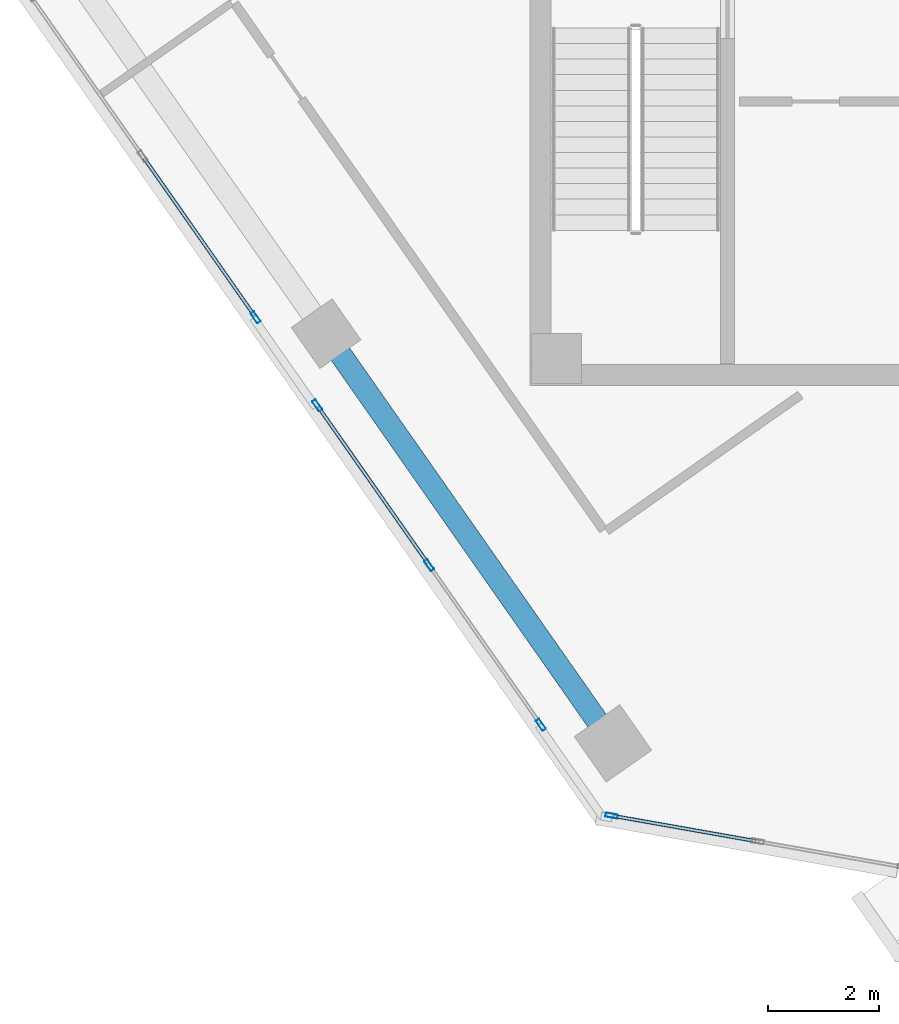
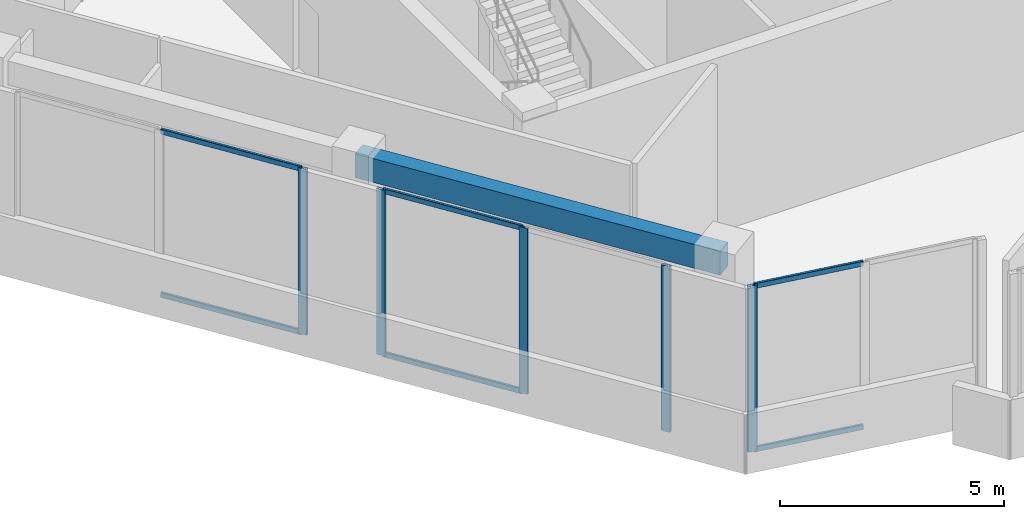
# One storey, part 2 of 16: 11 members, 1 beam, 3 elements without a shape of their own.
"""IFC4 building model written with IfcOpenShell, lengths in metres."""

from ifc_helpers import new_model, si_unit, direction, frame, origin, origin_2d, place, context, subcontext, project, spatial, rectangle, hollow_rectangle, extrude, source, transform, mapped, material, material_profile, profile_set, type_object, element, aggregate, save


model = new_model("IFC4")

# Units and contexts
model_context = context("Model", 3, precision=1e-05, world=origin(), true_north=direction((0.0, 1.0)))
body_context = subcontext(model_context, "Body", "Model", "MODEL_VIEW")
ifc_project = project(units=[si_unit("LENGTHUNIT", "METRE"), si_unit("AREAUNIT", "SQUARE_METRE"), si_unit("VOLUMEUNIT", "CUBIC_METRE"), si_unit("PLANEANGLEUNIT", "RADIAN"), si_unit("MASSUNIT", "GRAM", prefix="KILO")], contexts=[model_context])

# Site, building, storey
site_placement = place(None, origin())
site = spatial("IfcSite", under=ifc_project, at=site_placement, CompositionType="ELEMENT")
building_placement = place(site_placement, origin())
building = spatial("IfcBuilding", under=site, at=building_placement, Name="Torre Montelarca", CompositionType="ELEMENT")
storey_placement = place(building_placement, frame((0.0, 0.0, 293.800048828125)))
storey = spatial("IfcBuildingStorey", under=building, at=storey_placement, Name="L66", CompositionType="ELEMENT", Elevation=293.800048828125)

# Beam
ifc_material_1 = material(Name="Concrete C40/50", Category="concrete")
ifc_material_profile_1 = material_profile(ifc_material_1, rectangle(XDim=0.39990234375, YDim=0.64990234375, at=origin_2d()), Name="RCB400X650", Category="concrete")
ifc_profile_set_1 = profile_set([ifc_material_profile_1], Name="Concrete C40/50")
beam_type = type_object("IfcBeamType", Name="BM-SP-RC650-EXT", PredefinedType="SPANDREL", material=ifc_profile_set_1)
shared_shape_1 = source(origin(), body_context, "Body", "SweptSolid", [
    extrude(rectangle(XDim=0.39990234375, YDim=0.64990234375, at=origin_2d()), origin(), (0.0, 0.0, 1.0), 9.0),
])
beam_placement = place(storey_placement, frame((5.403076171875, 25.00146484375, 4.43505859375), z_axis=(0.573573395961, -0.819154173185, 0.0), x_axis=(0.819154173185, 0.573573395961, 0.0)))
element("IfcBeam", 1, at=beam_placement, inside=storey, type_object=beam_type, Name="L66 Grid Girder X 18.0-27.0 at Y=14.8", PredefinedType="SPANDREL", context=body_context, shape_type="MappedRepresentation", body=[
    mapped(shared_shape_1, transform((0.0, 0.0, 0.0), scale=1.0)),
])

# Curtain wall, member
ifc_material_2 = material(Name="Insulated low-E laminated glass", Category="glass")
curtain_wall_type = type_object("IfcCurtainWallType", Name="CW-SYS-Z4", PredefinedType="USERDEFINED", material=ifc_material_2)
curtain_wall_1_placement = place(storey_placement, origin())
curtain_wall_1 = element("IfcCurtainWall", 2, at=curtain_wall_1_placement, inside=storey, type_object=curtain_wall_type, Name="L66 Curtain Wall Run CW-T3-L66-E01-B1", ObjectType="UNITISED GLAZING", PredefinedType="USERDEFINED")
ifc_material_3 = material(Name="Anodised aluminium AA 6063-T6", Category="aluminium")
ifc_material_profile_2 = material_profile(ifc_material_3, hollow_rectangle(XDim=0.074951171875, YDim=0.219970703125, WallThickness=0.0048828125, InnerFilletRadius=0.0048828125, OuterFilletRadius=0.010009765625, at=origin_2d()), Name="ALU75X220X5", Category="aluminium")
ifc_profile_set_2 = profile_set([ifc_material_profile_2], Name="Anodised aluminium AA 6063-T6")
member_type_1 = type_object("IfcMemberType", Name="CWM-ALU220", PredefinedType="MULLION", material=ifc_profile_set_2)
shared_shape_2 = source(origin(), body_context, "Body", "SweptSolid", [
    extrude(hollow_rectangle(XDim=0.074951171875, YDim=0.219970703125, WallThickness=0.0048828125, InnerFilletRadius=0.0048828125, OuterFilletRadius=0.010009765625, at=origin_2d()), origin(), (0.0, 0.0, 1.0), 4.52001953125),
])
member_1_placement = place(storey_placement, frame((4.135498046875, 25.294921875, 0.0), z_axis=(0.0, 0.0, 1.0), x_axis=(0.819156903891, 0.573569496058, 0.0)))
member_1 = element("IfcMember", 3, at=member_1_placement, type_object=member_type_1, Name="CW mullion 3", PredefinedType="MULLION", context=body_context, shape_type="MappedRepresentation", body=[
    mapped(shared_shape_2, transform((0.0, 0.0, 0.0), scale=1.0)),
])

# Curtain wall, members
curtain_wall_2_placement = place(storey_placement, origin())
curtain_wall_2 = element("IfcCurtainWall", 4, at=curtain_wall_2_placement, inside=storey, type_object=curtain_wall_type, Name="L66 Curtain Wall Run CW-T3-L66-E01-B2", ObjectType="UNITISED GLAZING", PredefinedType="USERDEFINED")
member_2_placement = place(storey_placement, frame((5.245361328125, 23.7099609375, 0.0), z_axis=(0.0, 0.0, 1.0), x_axis=(0.819156374316, 0.573570252382, 0.0)))
member_2 = element("IfcMember", 5, at=member_2_placement, type_object=member_type_1, Name="CW mullion 1", PredefinedType="MULLION", context=body_context, shape_type="MappedRepresentation", body=[
    mapped(shared_shape_2, transform((0.0, 0.0, 0.0), scale=1.0)),
])
member_3_placement = place(storey_placement, frame((7.257080078125, 20.8369140625, 0.0), z_axis=(0.0, 0.0, 1.0), x_axis=(0.819156374316, 0.573570252382, 0.0)))
member_3 = element("IfcMember", 6, at=member_3_placement, type_object=member_type_1, Name="CW mullion 2", PredefinedType="MULLION", context=body_context, shape_type="MappedRepresentation", body=[
    mapped(shared_shape_2, transform((0.0, 0.0, 0.0), scale=1.0)),
])
member_4_placement = place(storey_placement, frame((9.26904296875, 17.963623046875, 0.0), z_axis=(0.0, 0.0, 1.0), x_axis=(0.819156374316, 0.573570252382, 0.0)))
member_4 = element("IfcMember", 7, at=member_4_placement, type_object=member_type_1, Name="CW mullion 3", PredefinedType="MULLION", context=body_context, shape_type="MappedRepresentation", body=[
    mapped(shared_shape_2, transform((0.0, 0.0, 0.0), scale=1.0)),
])

# Curtain wall, member
curtain_wall_3_placement = place(storey_placement, origin())
curtain_wall_3 = element("IfcCurtainWall", 8, at=curtain_wall_3_placement, inside=storey, type_object=curtain_wall_type, Name="L66 Curtain Wall Run CW-T3-L66-E02-B1", ObjectType="UNITISED GLAZING", PredefinedType="USERDEFINED")
member_5_placement = place(storey_placement, frame((10.54248046875, 16.3291015625, 0.0), z_axis=(0.0, 0.0, 1.0), x_axis=(0.17364192333, 0.9848088558, 0.0)))
member_5 = element("IfcMember", 9, at=member_5_placement, type_object=member_type_1, Name="CW mullion 1", PredefinedType="MULLION", context=body_context, shape_type="MappedRepresentation", body=[
    mapped(shared_shape_2, transform((0.0, 0.0, 0.0), scale=1.0)),
])

# Member
ifc_material_profile_3 = material_profile(ifc_material_3, hollow_rectangle(XDim=0.06494140625, YDim=0.139892578125, WallThickness=0.00390625, InnerFilletRadius=0.00390625, OuterFilletRadius=0.008056640625, at=origin_2d()), Name="ALU65X140X4", Category="aluminium")
ifc_profile_set_3 = profile_set([ifc_material_profile_3], Name="Anodised aluminium AA 6063-T6")
member_type_2 = type_object("IfcMemberType", Name="CWT-ALU140", PredefinedType="USERDEFINED", material=ifc_profile_set_3)
shared_shape_3 = source(origin(), body_context, "Body", "SweptSolid", [
    extrude(hollow_rectangle(XDim=0.06494140625, YDim=0.139892578125, WallThickness=0.00390625, InnerFilletRadius=0.00390625, OuterFilletRadius=0.008056640625, at=origin_2d()), origin(), (0.0, 0.0, 1.0), 3.45751953125),
])
member_6_placement = place(storey_placement, frame((2.130859375, 28.157958984375, 0.032470703125), z_axis=(0.573571335788, -0.819155615718, 0.0), x_axis=(0.819155615718, 0.573571335788, 0.0)))
member_6 = element("IfcMember", 10, at=member_6_placement, type_object=member_type_2, Name="CW transom 2.1", ObjectType="TRANSOM", PredefinedType="USERDEFINED", context=body_context, shape_type="MappedRepresentation", body=[
    mapped(shared_shape_3, transform((0.0, 0.0, 0.0), scale=1.0)),
])

member_7_placement = place(storey_placement, frame((2.130859375, 28.157958984375, 4.487548828125), z_axis=(0.573571335788, -0.819155615718, 0.0), x_axis=(0.819155615718, 0.573571335788, 0.0)))
member_7 = element("IfcMember", 11, at=member_7_placement, type_object=member_type_2, Name="CW transom 2.2", ObjectType="TRANSOM", PredefinedType="USERDEFINED", context=body_context, shape_type="MappedRepresentation", body=[
    mapped(shared_shape_3, transform((0.0, 0.0, 0.0), scale=1.0)),
])

aggregate(curtain_wall_1, [member_1, member_6, member_7])

shared_shape_4 = source(origin(), body_context, "Body", "SweptSolid", [
    extrude(hollow_rectangle(XDim=0.06494140625, YDim=0.139892578125, WallThickness=0.00390625, InnerFilletRadius=0.00390625, OuterFilletRadius=0.008056640625, at=origin_2d()), origin(), (0.0, 0.0, 1.0), 3.432373046875),
])
member_8_placement = place(storey_placement, frame((5.266845703125, 23.67919921875, 0.032470703125), z_axis=(0.573562585209, -0.819161742789, 0.0), x_axis=(0.819161742789, 0.573562585209, 0.0)))
member_8 = element("IfcMember", 12, at=member_8_placement, type_object=member_type_2, Name="CW transom 1.1", ObjectType="TRANSOM", PredefinedType="USERDEFINED", context=body_context, shape_type="MappedRepresentation", body=[
    mapped(shared_shape_4, transform((0.0, 0.0, 0.0), scale=1.0)),
])

member_9_placement = place(storey_placement, frame((5.266845703125, 23.67919921875, 4.487548828125), z_axis=(0.573562585209, -0.819161742789, 0.0), x_axis=(0.819161742789, 0.573562585209, 0.0)))
member_9 = element("IfcMember", 13, at=member_9_placement, type_object=member_type_2, Name="CW transom 1.2", ObjectType="TRANSOM", PredefinedType="USERDEFINED", context=body_context, shape_type="MappedRepresentation", body=[
    mapped(shared_shape_4, transform((0.0, 0.0, 0.0), scale=1.0)),
])

aggregate(curtain_wall_2, [member_2, member_3, member_4, member_8, member_9])

shared_shape_5 = source(origin(), body_context, "Body", "SweptSolid", [
    extrude(hollow_rectangle(XDim=0.06494140625, YDim=0.139892578125, WallThickness=0.00390625, InnerFilletRadius=0.00390625, OuterFilletRadius=0.008056640625, at=origin_2d()), origin(), (0.0, 0.0, 1.0), 2.592529296875),
])
member_10_placement = place(storey_placement, frame((10.579345703125, 16.322509765625, 0.032470703125), z_axis=(0.984808196894, -0.173645660267, 0.0), x_axis=(0.173645660267, 0.984808196894, 0.0)))
member_10 = element("IfcMember", 14, at=member_10_placement, type_object=member_type_2, Name="CW transom 1.1", ObjectType="TRANSOM", PredefinedType="USERDEFINED", context=body_context, shape_type="MappedRepresentation", body=[
    mapped(shared_shape_5, transform((0.0, 0.0, 0.0), scale=1.0)),
])

member_11_placement = place(storey_placement, frame((10.579345703125, 16.322509765625, 4.487548828125), z_axis=(0.984808196894, -0.173645660267, 0.0), x_axis=(0.173645660267, 0.984808196894, 0.0)))
member_11 = element("IfcMember", 15, at=member_11_placement, type_object=member_type_2, Name="CW transom 1.2", ObjectType="TRANSOM", PredefinedType="USERDEFINED", context=body_context, shape_type="MappedRepresentation", body=[
    mapped(shared_shape_5, transform((0.0, 0.0, 0.0), scale=1.0)),
])

aggregate(curtain_wall_3, [member_5, member_10, member_11])

save(model, "model.ifc")
